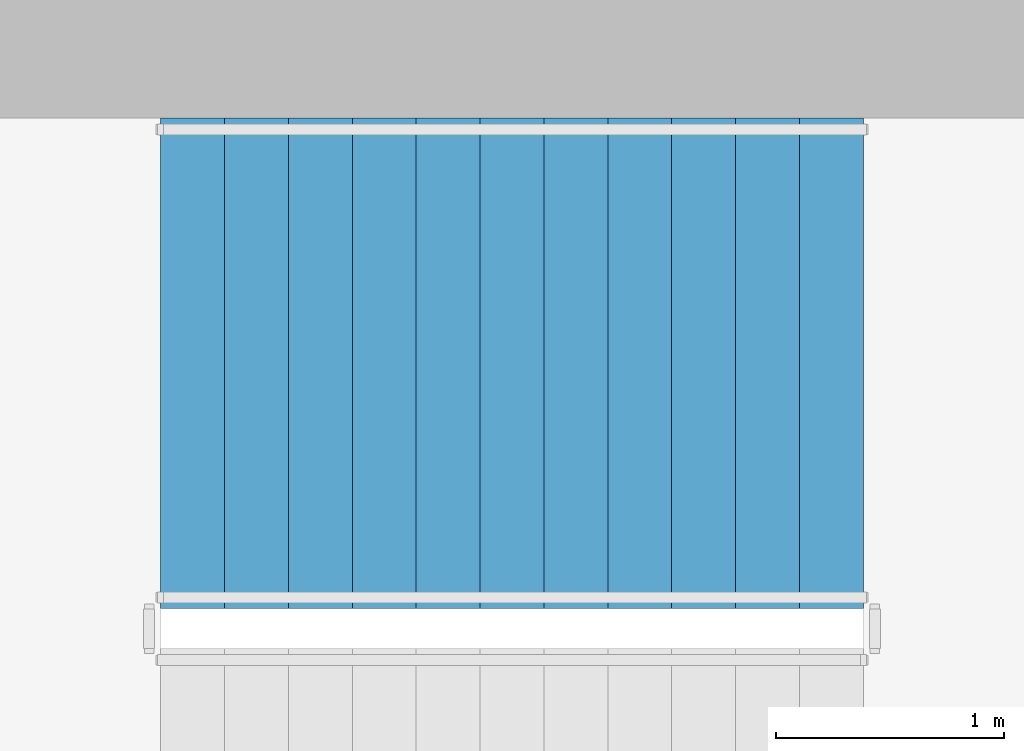
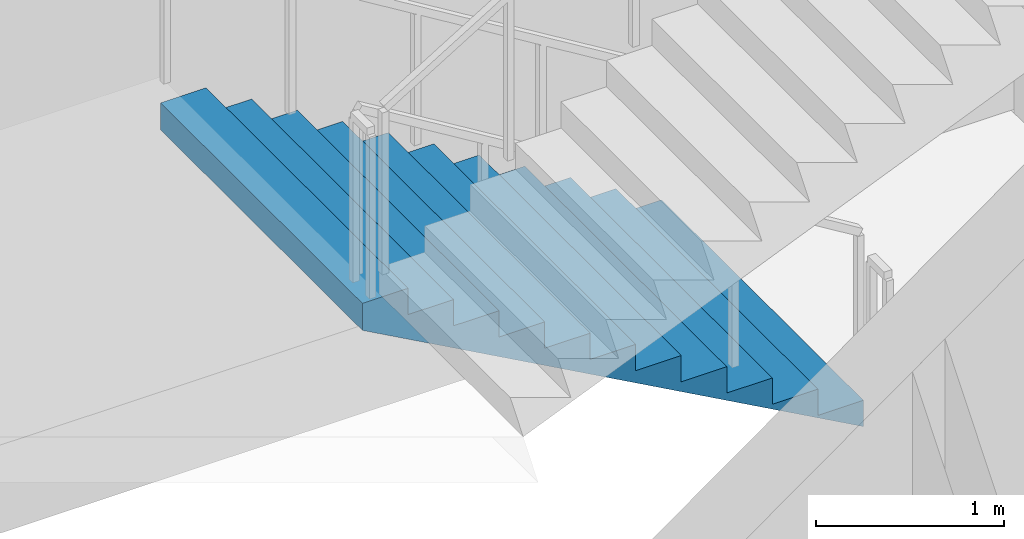
# One storey, part 9 of 14: 1 stair flight, 1 element without a shape of its own.
"""IFC4 building model written with IfcOpenShell, lengths in metres."""

from ifc_helpers import new_model, si_unit, direction, frame, origin, place, context, subcontext, project, spatial, triangles, material, type_object, element, aggregate, save


model = new_model("IFC4")

# Units and contexts
model_context = context("Model", 3, precision=1e-05, world=origin(), true_north=direction((0.0, 1.0)))
body_context = subcontext(model_context, "Body", "Model", "MODEL_VIEW")
ifc_project = project(units=[si_unit("LENGTHUNIT", "METRE"), si_unit("AREAUNIT", "SQUARE_METRE"), si_unit("VOLUMEUNIT", "CUBIC_METRE"), si_unit("PLANEANGLEUNIT", "RADIAN"), si_unit("MASSUNIT", "GRAM", prefix="KILO")], contexts=[model_context])

# Site, building, storey
site_placement = place(None, origin())
site = spatial("IfcSite", under=ifc_project, at=site_placement, CompositionType="ELEMENT")
building_placement = place(site_placement, origin())
building = spatial("IfcBuilding", under=site, at=building_placement, Name="Cypress Arch Tower", CompositionType="ELEMENT")
storey_placement = place(building_placement, frame((0.0, 0.0, 251.60009765625)))
storey = spatial("IfcBuildingStorey", under=building, at=storey_placement, Name="L56", CompositionType="ELEMENT", Elevation=251.60009765625)

# Stair, stair flight
ifc_material_1 = material(Name="Concrete C40/50", Category="concrete")
stair_type = type_object("IfcStairType", Name="Exit stair ES1708-215", PredefinedType="HALF_TURN_STAIR", material=ifc_material_1)
stair_placement = place(storey_placement, origin())
stair = element("IfcStair", 1, at=stair_placement, inside=storey, type_object=stair_type, Name="L56 Exit stair B", PredefinedType="HALF_TURN_STAIR")
ifc_material_2 = material(Name="Concrete C40/50", Category="concrete")
stair_flight_type = type_object("IfcStairFlightType", Name="Exit stair flight ES1708-215", PredefinedType="STRAIGHT", material=ifc_material_2)
stair_flight_placement = place(storey_placement, frame((-22.27490234375, 13.72509765625, 0.0), z_axis=(0.0, 0.0, 1.0), x_axis=(-1.0, 0.0, 0.0)))
stair_flight = element("IfcStairFlight", 2, at=stair_flight_placement, type_object=stair_flight_type, Name="B flight 1", NumberOfRisers=12, NumberOfTreads=11, PredefinedType="STRAIGHT", RiserHeight=0.170833333, TreadLength=0.28, context=body_context, shape_type="Tessellation", body=[
    triangles([(0.0, -1.074951171875, 0.0), (0.000244140625, -1.074951171875, 0.01904296875), (0.000244140625, -1.074951171875, 0.0380859375), (0.00048828125, -1.074951171875, 0.056884765625), (0.00048828125, -1.074951171875, 0.075927734375), (0.00048828125, -1.074951171875, 0.094970703125), (0.00048828125, -1.074951171875, 0.114013671875), (0.000244140625, -1.074951171875, 0.1328125), (0.000244140625, -1.074951171875, 0.15185546875), (0.0, -1.074951171875, 0.1708984375), (0.280029296875, -1.074951171875, 0.1708984375), (0.280029296875, -1.074951171875, 0.341552734375), (0.56005859375, -1.074951171875, 0.341552734375), (0.56005859375, -1.074951171875, 0.512451171875), (0.840087890625, -1.074951171875, 0.512451171875), (0.840087890625, -1.074951171875, 0.683349609375), (1.1201171875, -1.074951171875, 0.683349609375), (1.1201171875, -1.074951171875, 0.854248046875), (1.39990234375, -1.074951171875, 0.854248046875), (1.39990234375, -1.074951171875, 1.02490234375), (1.679931640625, -1.074951171875, 1.02490234375), (1.679931640625, -1.074951171875, 1.19580078125), (1.9599609375, -1.074951171875, 1.19580078125), (1.9599609375, -1.074951171875, 1.36669921875), (2.239990234375, -1.074951171875, 1.36669921875), (2.239990234375, -1.074951171875, 1.53759765625), (2.52001953125, -1.074951171875, 1.53759765625), (2.52001953125, -1.074951171875, 1.708251953125), (2.800048828125, -1.074951171875, 1.708251953125), (2.800048828125, -1.074951171875, 1.879150390625), (3.080078125, -1.074951171875, 1.879150390625), (3.079833984375, -1.074951171875, 1.859619140625), (3.079833984375, -1.074951171875, 1.840087890625), (3.07958984375, -1.074951171875, 1.820556640625), (3.07958984375, -1.074951171875, 1.801025390625), (3.07958984375, -1.074951171875, 1.78173828125), (3.07958984375, -1.074951171875, 1.76220703125), (3.079833984375, -1.074951171875, 1.74267578125), (3.079833984375, -1.074951171875, 1.72314453125), (3.080078125, -1.074951171875, 1.70361328125), (3.080078125, 1.074951171875, 1.70361328125), (3.079833984375, 1.074951171875, 1.72314453125), (3.079833984375, 1.074951171875, 1.74267578125), (3.07958984375, 1.074951171875, 1.76220703125), (3.07958984375, 1.074951171875, 1.78173828125), (3.07958984375, 1.074951171875, 1.801025390625), (3.07958984375, 1.074951171875, 1.820556640625), (3.079833984375, 1.074951171875, 1.840087890625), (3.079833984375, 1.074951171875, 1.859619140625), (3.080078125, 1.074951171875, 1.879150390625), (2.800048828125, 1.074951171875, 1.879150390625), (2.800048828125, 1.074951171875, 1.708251953125), (2.52001953125, 1.074951171875, 1.708251953125), (2.52001953125, 1.074951171875, 1.53759765625), (2.239990234375, 1.074951171875, 1.53759765625), (2.239990234375, 1.074951171875, 1.36669921875), (1.9599609375, 1.074951171875, 1.36669921875), (1.9599609375, 1.074951171875, 1.19580078125), (1.679931640625, 1.074951171875, 1.19580078125), (1.679931640625, 1.074951171875, 1.02490234375), (1.39990234375, 1.074951171875, 1.02490234375), (1.39990234375, 1.074951171875, 0.854248046875), (1.1201171875, 1.074951171875, 0.854248046875), (1.1201171875, 1.074951171875, 0.683349609375), (0.840087890625, 1.074951171875, 0.683349609375), (0.840087890625, 1.074951171875, 0.512451171875), (0.56005859375, 1.074951171875, 0.512451171875), (0.56005859375, 1.074951171875, 0.341552734375), (0.280029296875, 1.074951171875, 0.341552734375), (0.280029296875, 1.074951171875, 0.1708984375), (0.0, 1.074951171875, 0.1708984375), (0.000244140625, 1.074951171875, 0.15185546875), (0.000244140625, 1.074951171875, 0.1328125), (0.00048828125, 1.074951171875, 0.114013671875), (0.00048828125, 1.074951171875, 0.094970703125), (0.00048828125, 1.074951171875, 0.075927734375), (0.00048828125, 1.074951171875, 0.056884765625), (0.000244140625, 1.074951171875, 0.0380859375), (0.000244140625, 1.074951171875, 0.01904296875), (0.0, 1.074951171875, 0.0)], [[40, 39, 30], [39, 38, 30], [38, 37, 30], [37, 36, 30], [36, 35, 30], [35, 34, 30], [34, 33, 30], [33, 32, 30], [32, 31, 30], [19, 18, 17], [27, 26, 25], [25, 24, 23], [23, 22, 21], [17, 16, 15], [15, 14, 13], [10, 9, 11], [9, 8, 11], [8, 7, 11], [7, 6, 11], [6, 5, 11], [5, 4, 11], [4, 3, 11], [3, 2, 11], [2, 1, 11], [29, 28, 27], [21, 20, 19], [13, 12, 11], [40, 30, 29], [40, 29, 27], [40, 27, 25], [40, 25, 23], [40, 23, 21], [40, 21, 19], [40, 19, 17], [40, 17, 15], [40, 15, 13], [1, 40, 13], [13, 11, 1], [41, 51, 42], [42, 51, 43], [43, 51, 44], [44, 51, 45], [45, 51, 46], [46, 51, 47], [47, 51, 48], [48, 51, 49], [49, 51, 50], [62, 64, 63], [54, 56, 55], [56, 58, 57], [58, 60, 59], [64, 66, 65], [66, 68, 67], [71, 70, 72], [72, 70, 73], [73, 70, 74], [74, 70, 75], [75, 70, 76], [76, 70, 77], [77, 70, 78], [78, 70, 79], [79, 70, 80], [52, 54, 53], [60, 62, 61], [68, 70, 69], [41, 52, 51], [41, 54, 52], [41, 56, 54], [41, 58, 56], [41, 60, 58], [41, 62, 60], [41, 64, 62], [41, 66, 64], [41, 68, 66], [80, 68, 41], [68, 80, 70], [41, 42, 39], [41, 39, 40], [42, 43, 38], [42, 38, 39], [43, 44, 37], [43, 37, 38], [44, 45, 36], [44, 36, 37], [45, 46, 35], [45, 35, 36], [46, 47, 34], [46, 34, 35], [47, 48, 33], [47, 33, 34], [48, 49, 32], [48, 32, 33], [49, 50, 31], [49, 31, 32], [50, 51, 30], [50, 30, 31], [51, 52, 29], [51, 29, 30], [52, 53, 28], [52, 28, 29], [53, 54, 27], [53, 27, 28], [54, 55, 26], [54, 26, 27], [55, 56, 25], [55, 25, 26], [56, 57, 24], [56, 24, 25], [57, 58, 23], [57, 23, 24], [58, 59, 22], [58, 22, 23], [59, 60, 21], [59, 21, 22], [60, 61, 20], [60, 20, 21], [61, 62, 19], [61, 19, 20], [62, 63, 18], [62, 18, 19], [63, 64, 17], [63, 17, 18], [64, 65, 16], [64, 16, 17], [65, 66, 15], [65, 15, 16], [66, 67, 14], [66, 14, 15], [67, 68, 13], [67, 13, 14], [68, 69, 12], [68, 12, 13], [69, 70, 11], [69, 11, 12], [70, 71, 10], [70, 10, 11], [71, 72, 9], [71, 9, 10], [72, 73, 8], [72, 8, 9], [73, 74, 7], [73, 7, 8], [74, 75, 6], [74, 6, 7], [75, 76, 5], [75, 5, 6], [76, 77, 4], [76, 4, 5], [77, 78, 3], [77, 3, 4], [78, 79, 2], [78, 2, 3], [79, 80, 1], [79, 1, 2], [80, 41, 40], [80, 40, 1]], closed=True),
])
aggregate(stair, [stair_flight])

save(model, "model.ifc")
